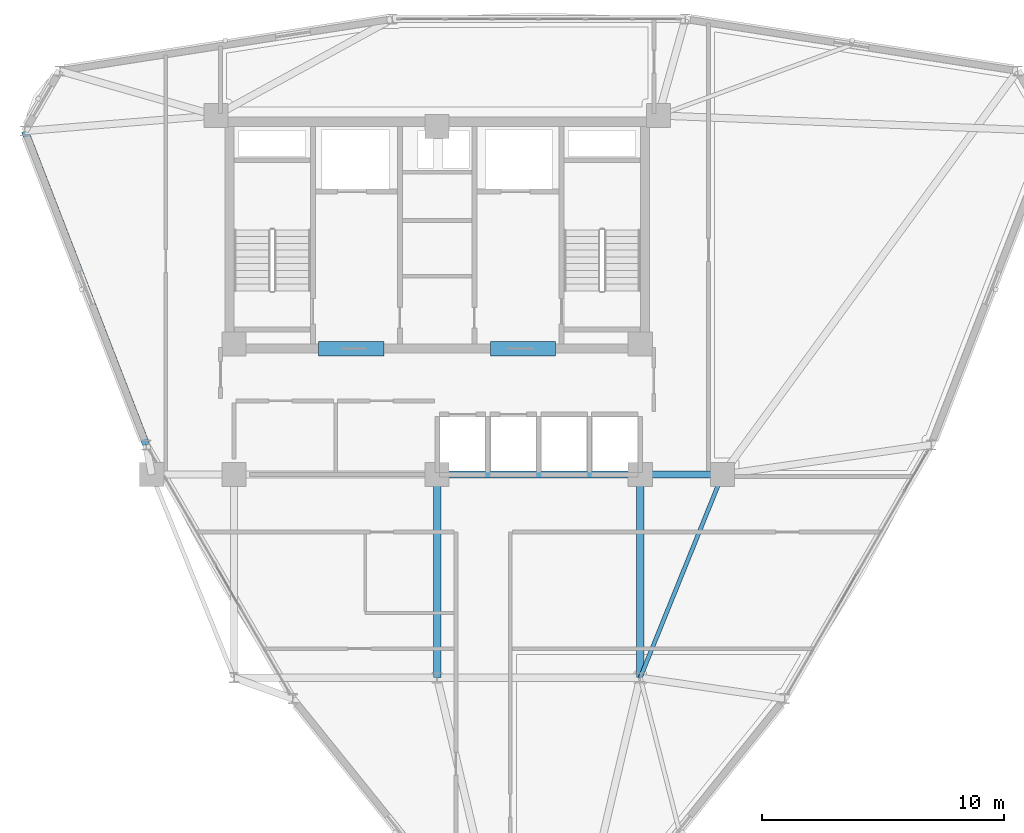
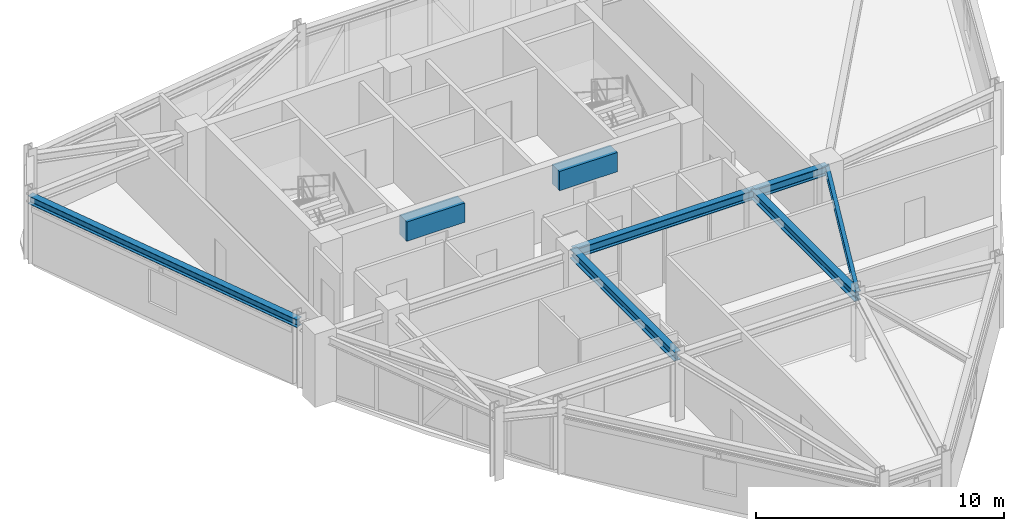
# One storey, part 6 of 16: 8 beams.
"""IFC4 building model written with IfcOpenShell, lengths in metres."""

from ifc_helpers import new_model, si_unit, derived_unit, direction, frame, origin, origin_2d, place, context, subcontext, project, spatial, rectangle, i_section, extrude, source, transform, mapped, material, material_profile, profile_set, type_object, element, save


model = new_model("IFC4")

# Units and contexts
model_context = context("Model", 3, precision=1e-05, world=origin(), true_north=direction((0.0, 1.0)))
body_context = subcontext(model_context, "Body", "Model", "MODEL_VIEW")
ifc_project = project(units=[si_unit("LENGTHUNIT", "METRE"), si_unit("AREAUNIT", "SQUARE_METRE"), si_unit("VOLUMEUNIT", "CUBIC_METRE"), si_unit("PLANEANGLEUNIT", "RADIAN"), si_unit("MASSUNIT", "GRAM", prefix="KILO"), derived_unit("THERMALTRANSMITTANCEUNIT", [(si_unit("POWERUNIT", "WATT"), 1), (si_unit("LENGTHUNIT", "METRE"), -2), (si_unit("THERMODYNAMICTEMPERATUREUNIT", "KELVIN"), -1)])], contexts=[model_context])

# Site, building, storey
site_placement = place(None, origin())
site = spatial("IfcSite", under=ifc_project, at=site_placement, CompositionType="ELEMENT")
building_placement = place(site_placement, origin())
building = spatial("IfcBuilding", under=site, at=building_placement, Name="Korsvarv Bourse and Concert Hall", CompositionType="ELEMENT")
storey_placement = place(building_placement, frame((0.0, 0.0, 234.60009765625)))
storey = spatial("IfcBuildingStorey", under=building, at=storey_placement, Name="L61", CompositionType="ELEMENT", Elevation=234.60009765625)

# Beams
ifc_material_1 = material(Name="Concrete C55/67", Category="concrete")
ifc_material_profile_1 = material_profile(ifc_material_1, rectangle(XDim=0.60009765625, YDim=0.949951171875, at=origin_2d()), Name="RC-BM 600x950")
ifc_profile_set_1 = profile_set([ifc_material_profile_1], Name="Concrete C55/67")
beam_type_1 = type_object("IfcBeamType", Name="BM-CPL", PredefinedType="LINTEL", material=ifc_profile_set_1)
shared_shape_1 = source(origin(), body_context, "Body", "SweptSolid", [
    extrude(rectangle(XDim=0.60009765625, YDim=0.949951171875, at=origin_2d()), origin(), (0.0, 0.0, 1.0), 2.699951171875),
])
for number, where, z_axis, x_axis, name in (
    (1, (31.10009765625, 37.610107421875, 2.784912109375), (1.0, 0.0, 0.0), (0.0, 1.0, 0.0), "L61 Core Coupling Beam West"),
    (2, (38.199951171875, 37.610107421875, 2.784912109375), (1.0, 0.0, 0.0), (0.0, 1.0, 0.0), "L61 Core Coupling Beam East"),
):
    element("IfcBeam", number, at=place(storey_placement, frame(where, z_axis=z_axis, x_axis=x_axis)), inside=storey, type_object=beam_type_1, Name=name, PredefinedType="LINTEL", context=body_context, shape_type="MappedRepresentation", body=[
        mapped(shared_shape_1, transform((0.0, 0.0, 0.0), scale=1.0)),
    ])
ifc_material_2 = material(Name="Steel S355", Category="steel")
ifc_material_profile_2 = material_profile(ifc_material_2, i_section(OverallWidth=0.169921875, OverallDepth=0.360107421875, WebThickness=0.008056640625, FlangeThickness=0.0126953125, FilletRadius=0.01806640625, at=origin_2d()), Name="IPE 360")
ifc_profile_set_2 = profile_set([ifc_material_profile_2], Name="Steel S355")
beam_type_2 = type_object("IfcBeamType", Name="BM-IPE360", PredefinedType="JOIST", material=ifc_profile_set_2)
shared_shape_2 = source(origin(), body_context, "Body", "SweptSolid", [
    extrude(i_section(OverallWidth=0.169921875, OverallDepth=0.360107421875, WebThickness=0.008056640625, FlangeThickness=0.0126953125, FilletRadius=0.01806640625, at=origin_2d()), origin(), (0.0, 0.0, 1.0), 9.06201171875),
])
beam_1_placement = place(storey_placement, frame((47.800048828125, 32.39990234375, 3.079833984375), z_axis=(-0.375210394783, -0.926939674222, 0.0), x_axis=(0.926939674222, -0.375210394783, 0.0)))
element("IfcBeam", 3, at=beam_1_placement, inside=storey, type_object=beam_type_2, Name="L61 beam J-06", PredefinedType="JOIST", context=body_context, shape_type="MappedRepresentation", body=[
    mapped(shared_shape_2, transform((0.0, 0.0, 0.0), scale=1.0)),
])
ifc_material_profile_3 = material_profile(ifc_material_2, i_section(OverallWidth=0.300048828125, OverallDepth=0.449951171875, WebThickness=0.013916015625, FlangeThickness=0.02587890625, FilletRadius=0.02099609375, at=origin_2d()), Name="HEB 450")
ifc_profile_set_3 = profile_set([ifc_material_profile_3], Name="Steel S355")
beam_type_3 = type_object("IfcBeamType", Name="BM-HEB450", PredefinedType="SPANDREL", material=ifc_profile_set_3)
shared_shape_3 = source(origin(), body_context, "Body", "SweptSolid", [
    extrude(i_section(OverallWidth=0.300048828125, OverallDepth=0.449951171875, WebThickness=0.013916015625, FlangeThickness=0.02587890625, FilletRadius=0.02099609375, at=origin_2d()), origin(), (0.0, 0.0, 1.0), 3.400146484375),
])
beam_2_placement = place(storey_placement, frame((44.39990234375, 32.39990234375, 3.034912109375), z_axis=(1.0, 0.0, 0.0), x_axis=(0.0, 1.0, 0.0)))
element("IfcBeam", 4, at=beam_2_placement, inside=storey, type_object=beam_type_3, Name="L61 beam B-08", PredefinedType="SPANDREL", context=body_context, shape_type="MappedRepresentation", body=[
    mapped(shared_shape_3, transform((0.0, 0.0, 0.0), scale=1.0)),
])
shared_shape_4 = source(origin(), body_context, "Body", "SweptSolid", [
    extrude(i_section(OverallWidth=0.300048828125, OverallDepth=0.449951171875, WebThickness=0.013916015625, FlangeThickness=0.02587890625, FilletRadius=0.02099609375, at=origin_2d()), origin(), (0.0, 0.0, 1.0), 8.39990234375),
])
for number, where, z_axis, x_axis, name in (
    (5, (36.0, 32.39990234375, 3.034912109375), (1.0, 0.0, 0.0), (0.0, 1.0, 0.0), "L61 beam B-08"),
    (6, (36.0, 24.0, 3.034912109375), (0.0, 1.0, 0.0), (-1.0, 0.0, 0.0), "L61 beam B-08"),
    (7, (44.39990234375, 24.0, 3.034912109375), (0.0, 1.0, 0.0), (-1.0, 0.0, 0.0), "L61 beam B-08"),
):
    element("IfcBeam", number, at=place(storey_placement, frame(where, z_axis=z_axis, x_axis=x_axis)), inside=storey, type_object=beam_type_3, Name=name, PredefinedType="SPANDREL", context=body_context, shape_type="MappedRepresentation", body=[
        mapped(shared_shape_4, transform((0.0, 0.0, 0.0), scale=1.0)),
    ])
ifc_material_profile_4 = material_profile(ifc_material_2, i_section(OverallWidth=0.300048828125, OverallDepth=0.389892578125, WebThickness=0.010986328125, FlangeThickness=0.01904296875, FilletRadius=0.02099609375, at=origin_2d()), Name="HEA 400")
ifc_profile_set_4 = profile_set([ifc_material_profile_4], Name="Steel S355")
beam_type_4 = type_object("IfcBeamType", Name="BM-HEA400", PredefinedType="BEAM", material=ifc_profile_set_4)
shared_shape_5 = source(origin(), body_context, "Body", "SweptSolid", [
    extrude(i_section(OverallWidth=0.300048828125, OverallDepth=0.389892578125, WebThickness=0.010986328125, FlangeThickness=0.01904296875, FilletRadius=0.02099609375, at=origin_2d()), origin(), (0.0, 0.0, 1.0), 13.913330078125),
])
beam_3_placement = place(storey_placement, frame((18.95263671875, 46.606201171875, 3.06494140625), z_axis=(0.360616494338, -0.932714181307, 0.0), x_axis=(0.932714181307, 0.360616494338, 0.0)))
element("IfcBeam", 8, at=beam_3_placement, inside=storey, type_object=beam_type_4, Name="L61 beam B-11", PredefinedType="BEAM", context=body_context, shape_type="MappedRepresentation", body=[
    mapped(shared_shape_5, transform((0.0, 0.0, 0.0), scale=1.0)),
])

save(model, "model.ifc")
